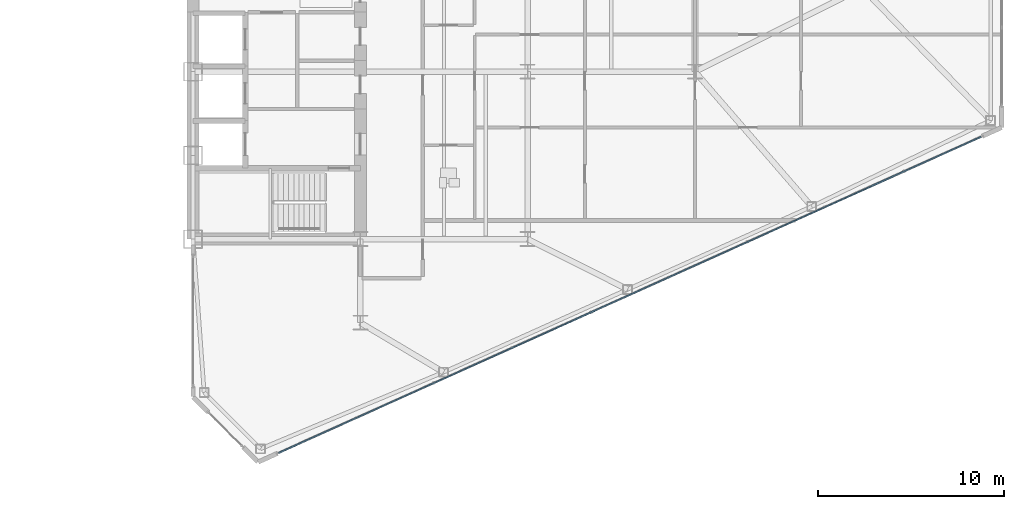
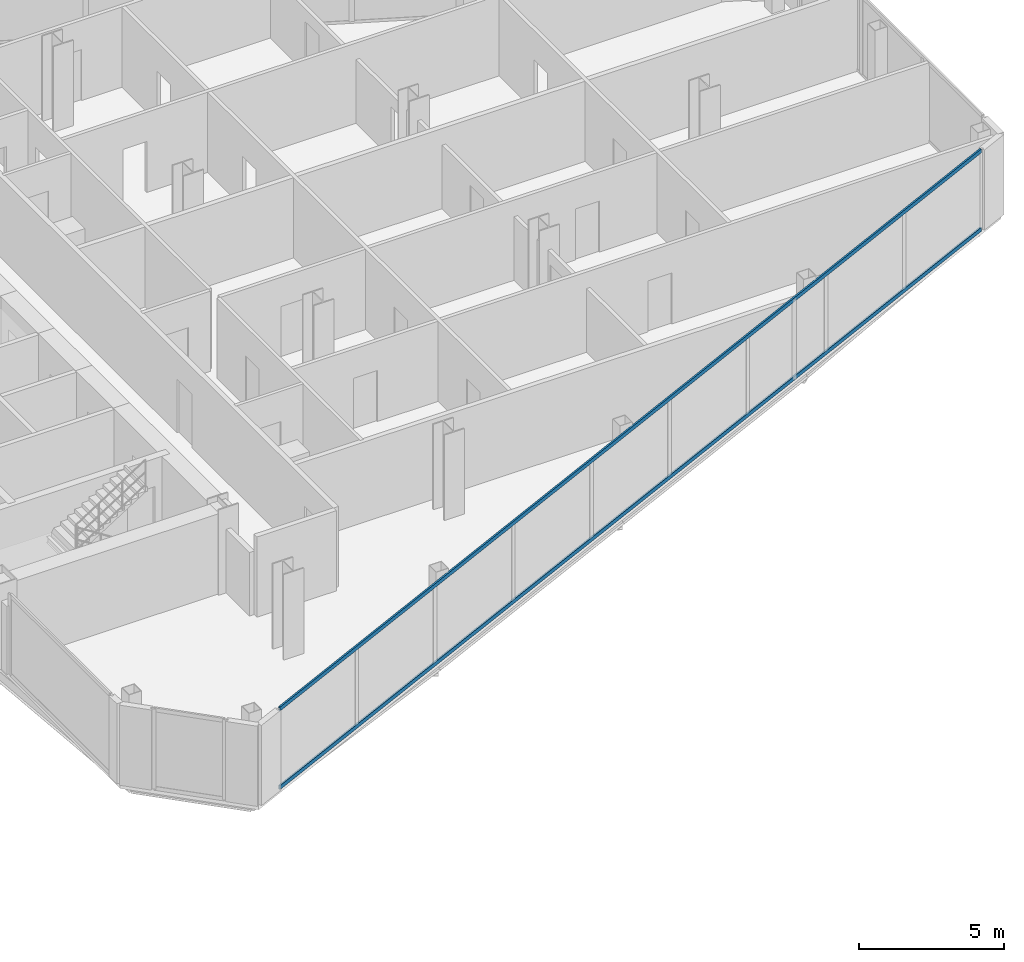
# One storey, part 11 of 27: 2 members, 1 element without a shape of its own.
"""IFC4 building model written with IfcOpenShell, lengths in metres."""

from ifc_helpers import new_model, si_unit, direction, frame, origin, origin_2d, place, context, subcontext, project, spatial, rectangle, extrude, source, transform, mapped, material, layer, layer_set, material_profile, profile_set, type_object, type_shapes, element, aggregate, save


model = new_model("IFC4")

# Units and contexts
model_context = context("Model", 3, precision=1e-05, world=origin(), true_north=direction((0.0, 1.0)))
body_context = subcontext(model_context, "Body", "Model", "MODEL_VIEW")
ifc_project = project(units=[si_unit("LENGTHUNIT", "METRE"), si_unit("AREAUNIT", "SQUARE_METRE"), si_unit("VOLUMEUNIT", "CUBIC_METRE"), si_unit("PLANEANGLEUNIT", "RADIAN"), si_unit("MASSUNIT", "GRAM", prefix="KILO")], contexts=[model_context])

# Site, building, storey
site_placement = place(None, origin())
site = spatial("IfcSite", under=ifc_project, at=site_placement, CompositionType="ELEMENT")
building_placement = place(site_placement, origin())
building = spatial("IfcBuilding", under=site, at=building_placement, Name="Seokmaru Belvedere", CompositionType="ELEMENT")
storey_placement = place(building_placement, frame((0.0, 0.0, 92.39990234375)))
storey = spatial("IfcBuildingStorey", under=building, at=storey_placement, Name="L24", CompositionType="ELEMENT", Elevation=92.39990234375)

# Curtain wall, members
ifc_material_1 = material(Name="Bronze Triple Insulating Glass", Category="glass")
ifc_layer = layer(ifc_material_1, 0.195068359375)
ifc_layer_set = layer_set([ifc_layer], Name="Bronze Triple Insulating Glass")
curtain_wall_type = type_object("IfcCurtainWallType", Name="Lower-Mid Tapered Curtain Wall System CW-3", PredefinedType="NOTDEFINED", material=ifc_layer_set)
curtain_wall_placement = place(storey_placement, origin())
curtain_wall = element("IfcCurtainWall", 1, at=curtain_wall_placement, inside=storey, type_object=curtain_wall_type, Name="L24 Curtain Wall EF1", PredefinedType="NOTDEFINED")
ifc_material_2 = material(Name="Anodised Bronze Aluminium", Category="aluminium")
ifc_material_profile = material_profile(ifc_material_2, rectangle(XDim=0.070068359375, YDim=0.1650390625, at=origin_2d()), Name="CW-T-70x165")
ifc_profile_set = profile_set([ifc_material_profile], Name="Anodised Bronze Aluminium")
member_type = type_object("IfcMemberType", Name="Bronze Unitised Transom 70x165", PredefinedType="USERDEFINED", material=ifc_profile_set)
shared_shape = source(origin(), body_context, "Body", "SweptSolid", [
    extrude(rectangle(XDim=0.070068359375, YDim=0.1650390625, at=origin_2d()), origin(), (0.0, 0.0, 1.0), 41.423583984375),
])
type_shapes(member_type, [shared_shape])
member_1_placement = place(storey_placement, frame((32.112548828125, -24.99951171875, 0.03515625), z_axis=(0.911918637916, 0.410371048956, 0.0), x_axis=(-0.410371048956, 0.911918637916, 0.0)))
member_1 = element("IfcMember", 2, at=member_1_placement, type_object=member_type, Name="CW:L24:EF1 Continuous Transom 1", ObjectType="TRANSOM", PredefinedType="USERDEFINED", context=body_context, shape_type="MappedRepresentation", body=[
    mapped(shared_shape, transform((0.0, 0.0, 0.0), scale=1.0)),
])
member_2_placement = place(storey_placement, frame((32.112548828125, -24.99951171875, 3.34521484375), z_axis=(0.911918637916, 0.410371048956, 0.0), x_axis=(-0.410371048956, 0.911918637916, 0.0)))
member_2 = element("IfcMember", 3, at=member_2_placement, type_object=member_type, Name="CW:L24:EF1 Continuous Transom 2", ObjectType="TRANSOM", PredefinedType="USERDEFINED", context=body_context, shape_type="MappedRepresentation", body=[
    mapped(shared_shape, transform((0.0, 0.0, 0.0), scale=1.0)),
])
aggregate(curtain_wall, [member_1, member_2])

save(model, "model.ifc")
